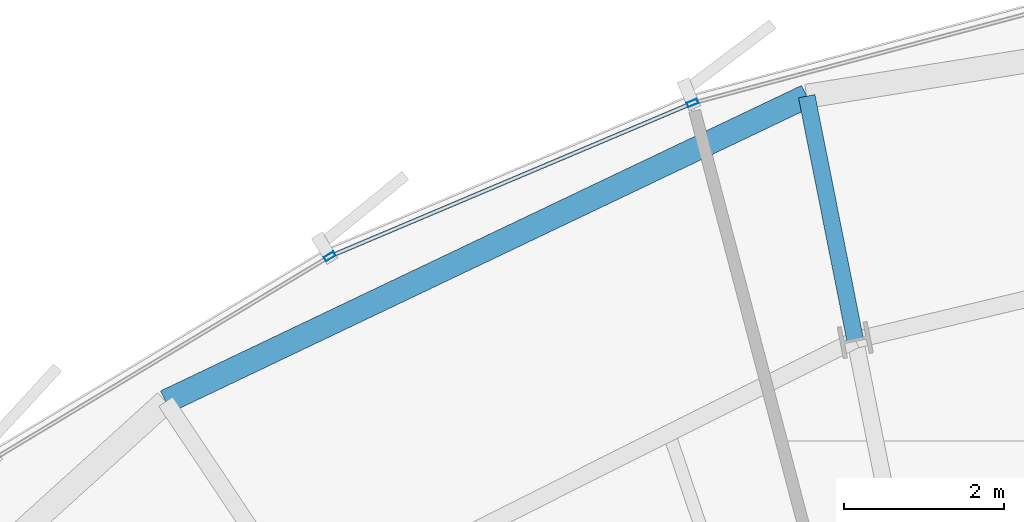
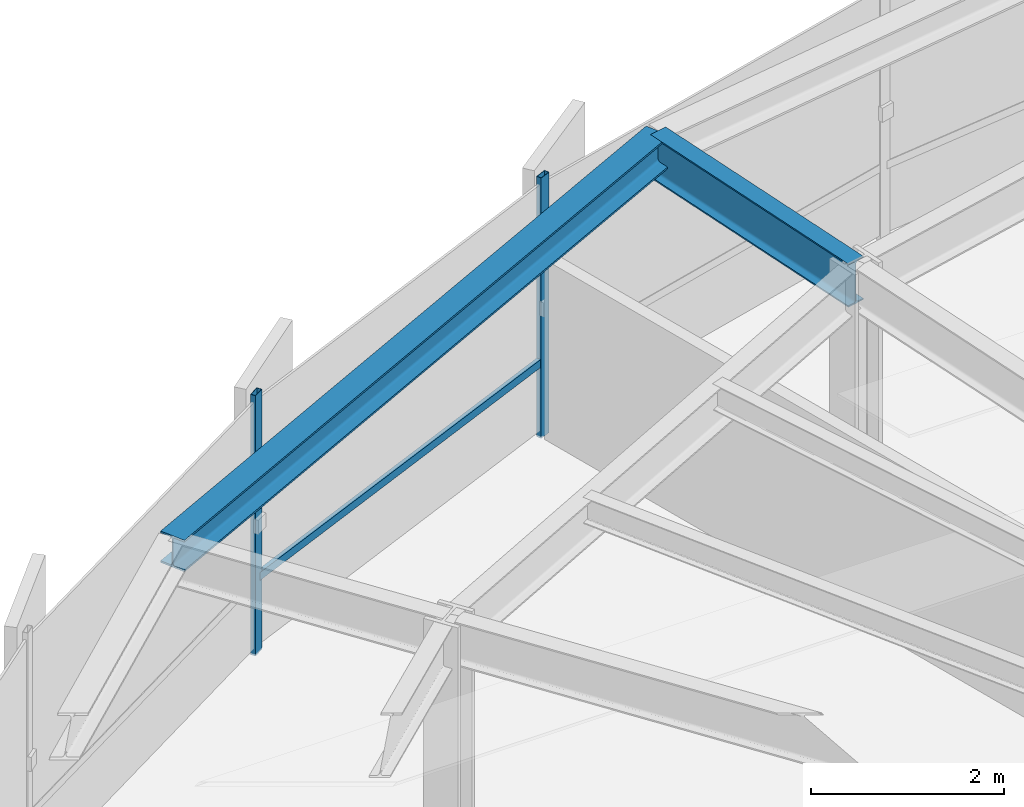
# One storey, part 21 of 36: 3 members, 2 beams, 1 element without a shape of its own.
"""IFC4 building model written with IfcOpenShell, lengths in metres."""

from ifc_helpers import new_model, si_unit, direction, frame, origin, origin_2d, place, context, subcontext, project, spatial, hollow_rectangle, i_section, extrude, source, transform, mapped, material, layer, layer_set, material_profile, profile_set, type_object, element, aggregate, save


model = new_model("IFC4")

# Units and contexts
model_context = context("Model", 3, precision=1e-05, world=origin(), true_north=direction((0.0, 1.0)))
body_context = subcontext(model_context, "Body", "Model", "MODEL_VIEW")
ifc_project = project(units=[si_unit("LENGTHUNIT", "METRE"), si_unit("AREAUNIT", "SQUARE_METRE"), si_unit("VOLUMEUNIT", "CUBIC_METRE"), si_unit("PLANEANGLEUNIT", "RADIAN"), si_unit("MASSUNIT", "GRAM", prefix="KILO"), si_unit("THERMODYNAMICTEMPERATUREUNIT", "KELVIN")], contexts=[model_context])

# Site, building, storey
site_placement = place(None, origin())
site = spatial("IfcSite", under=ifc_project, at=site_placement, CompositionType="ELEMENT")
building_placement = place(site_placement, origin())
building = spatial("IfcBuilding", under=site, at=building_placement, Name="Kethvar Cultural Tower", CompositionType="ELEMENT")
storey_placement = place(building_placement, frame((0.0, 0.0, 143.0)))
storey = spatial("IfcBuildingStorey", under=building, at=storey_placement, Name="L36", CompositionType="ELEMENT", Elevation=143.0)

# Beams
ifc_material_1 = material(Name="Steel S355J2", Category="steel")
ifc_material_profile_1 = material_profile(ifc_material_1, i_section(OverallWidth=0.2099609375, OverallDepth=0.550048828125, WebThickness=0.010986328125, FlangeThickness=0.01708984375, FilletRadius=0.02392578125, at=origin_2d()), Name="Steel S355J2 — IPE550")
ifc_profile_set_1 = profile_set([ifc_material_profile_1], Name="Steel S355J2 — IPE550")
beam_type_1 = type_object("IfcBeamType", Name="BM-IPE550", PredefinedType="BEAM", material=ifc_profile_set_1)
shared_shape_1 = source(origin(), body_context, "Body", "SweptSolid", [
    extrude(i_section(OverallWidth=0.2099609375, OverallDepth=0.550048828125, WebThickness=0.010986328125, FlangeThickness=0.01708984375, FilletRadius=0.02392578125, at=origin_2d()), origin(), (0.0, 0.0, 1.0), 3.1142578125),
])
beam_1_placement = place(storey_placement, frame((42.9189453125, 47.311279296875, 3.02294921875), z_axis=(-0.19512104169, 0.98077916938, 0.0), x_axis=(-0.98077916938, -0.19512104169, 0.0)))
element("IfcBeam", 1, at=beam_1_placement, inside=storey, type_object=beam_type_1, Name="L36 Perimeter Cantilever Beam RC-05", PredefinedType="BEAM", context=body_context, shape_type="MappedRepresentation", body=[
    mapped(shared_shape_1, transform((0.0, 0.0, 0.0), scale=1.0)),
])
ifc_material_profile_2 = material_profile(ifc_material_1, i_section(OverallWidth=0.300048828125, OverallDepth=0.39990234375, WebThickness=0.013427734375, FlangeThickness=0.02392578125, FilletRadius=0.027099609375, at=origin_2d()), Name="Steel S355J2 — HEB400")
ifc_profile_set_2 = profile_set([ifc_material_profile_2], Name="Steel S355J2 — HEB400")
beam_type_2 = type_object("IfcBeamType", Name="BM-SP400", PredefinedType="SPANDREL", material=ifc_profile_set_2)
shared_shape_2 = source(origin(), body_context, "Body", "SweptSolid", [
    extrude(i_section(OverallWidth=0.300048828125, OverallDepth=0.39990234375, WebThickness=0.013427734375, FlangeThickness=0.02392578125, FilletRadius=0.027099609375, at=origin_2d()), origin(), (0.0, 0.0, 1.0), 8.89697265625),
])
beam_2_placement = place(storey_placement, frame((42.311279296875, 50.36572265625, 3.097900390625), z_axis=(-0.90272453707, -0.430219025813, 0.0), x_axis=(0.430219025813, -0.90272453707, 0.0)))
element("IfcBeam", 2, at=beam_2_placement, inside=storey, type_object=beam_type_2, Name="L36 Perimeter Spandrel Beam SP-05", PredefinedType="SPANDREL", context=body_context, shape_type="MappedRepresentation", body=[
    mapped(shared_shape_2, transform((0.0, 0.0, 0.0), scale=1.0)),
])

# Curtain wall, members
ifc_material_2 = material(Name="Aluminium 6063-T6", Category="aluminium")
ifc_layer = layer(ifc_material_2, 0.179931640625, Name="Aluminium 6063-T6", Category="aluminium")
ifc_layer_set = layer_set([ifc_layer], Name="Aluminium 6063-T6 (180 mm)")
curtain_wall_type = type_object("IfcCurtainWallType", Name="CW-SYS-04-Z34", PredefinedType="NOTDEFINED", material=ifc_layer_set)
curtain_wall_placement = place(storey_placement, origin())
curtain_wall = element("IfcCurtainWall", 3, at=curtain_wall_placement, inside=storey, type_object=curtain_wall_type, Name="L36 Curtain Wall Run 02", PredefinedType="NOTDEFINED")
ifc_material_profile_3 = material_profile(ifc_material_2, hollow_rectangle(XDim=0.06005859375, YDim=0.139892578125, WallThickness=0.0048828125, at=origin_2d()), Name="Aluminium 6063-T6 — RHS140x60x5")
ifc_profile_set_3 = profile_set([ifc_material_profile_3], Name="Aluminium 6063-T6 — RHS140x60x5")
member_type_1 = type_object("IfcMemberType", Name="CW-SYS-04-Z34-MUL", PredefinedType="MULLION", material=ifc_profile_set_3)
shared_shape_3 = source(origin(), body_context, "Body", "SweptSolid", [
    extrude(hollow_rectangle(XDim=0.06005859375, YDim=0.139892578125, WallThickness=0.0048828125, at=origin_2d()), origin(), (0.0, 0.0, 1.0), 3.300048828125),
])
member_1_placement = place(storey_placement, frame((40.881103515625, 50.280517578125, 0.0), z_axis=(0.0, 0.0, 1.0), x_axis=(0.3894937063, -0.921029126984, 0.0)))
member_1 = element("IfcMember", 4, at=member_1_placement, type_object=member_type_1, Name="CW-L36-R02 Mullion 3", PredefinedType="MULLION", context=body_context, shape_type="MappedRepresentation", body=[
    mapped(shared_shape_3, transform((0.0, 0.0, 0.0), scale=1.0)),
])
member_2_placement = place(storey_placement, frame((36.333740234375, 48.358642578125, 0.0), z_axis=(0.0, 0.0, 1.0), x_axis=(0.516563217912, -0.856249053664, 0.0)))
member_2 = element("IfcMember", 5, at=member_2_placement, type_object=member_type_1, Name="CW-L36-R02 Mullion 4", PredefinedType="MULLION", context=body_context, shape_type="MappedRepresentation", body=[
    mapped(shared_shape_3, transform((0.0, 0.0, 0.0), scale=1.0)),
])
ifc_material_profile_4 = material_profile(ifc_material_2, hollow_rectangle(XDim=0.050048828125, YDim=0.10009765625, WallThickness=0.00390625, at=origin_2d()), Name="Aluminium 6063-T6 — RHS100x50x4")
ifc_profile_set_4 = profile_set([ifc_material_profile_4], Name="Aluminium 6063-T6 — RHS100x50x4")
member_type_2 = type_object("IfcMemberType", Name="CW-SYS-04-Z34-TRN", PredefinedType="USERDEFINED", material=ifc_profile_set_4)
shared_shape_4 = source(origin(), body_context, "Body", "SweptSolid", [
    extrude(hollow_rectangle(XDim=0.050048828125, YDim=0.10009765625, WallThickness=0.00390625, at=origin_2d()), origin(), (0.0, 0.0, 1.0), 4.8662109375),
])
member_3_placement = place(storey_placement, frame((40.841552734375, 50.263671875, 0.949951171875), z_axis=(-0.921036481113, -0.38947631566, 0.0), x_axis=(0.38947631566, -0.921036481113, 0.0)))
member_3 = element("IfcMember", 6, at=member_3_placement, type_object=member_type_2, Name="CW-L36-R02 Transom 3", ObjectType="TRANSOM", PredefinedType="USERDEFINED", context=body_context, shape_type="MappedRepresentation", body=[
    mapped(shared_shape_4, transform((0.0, 0.0, 0.0), scale=1.0)),
])
aggregate(curtain_wall, [member_1, member_2, member_3])

save(model, "model.ifc")
